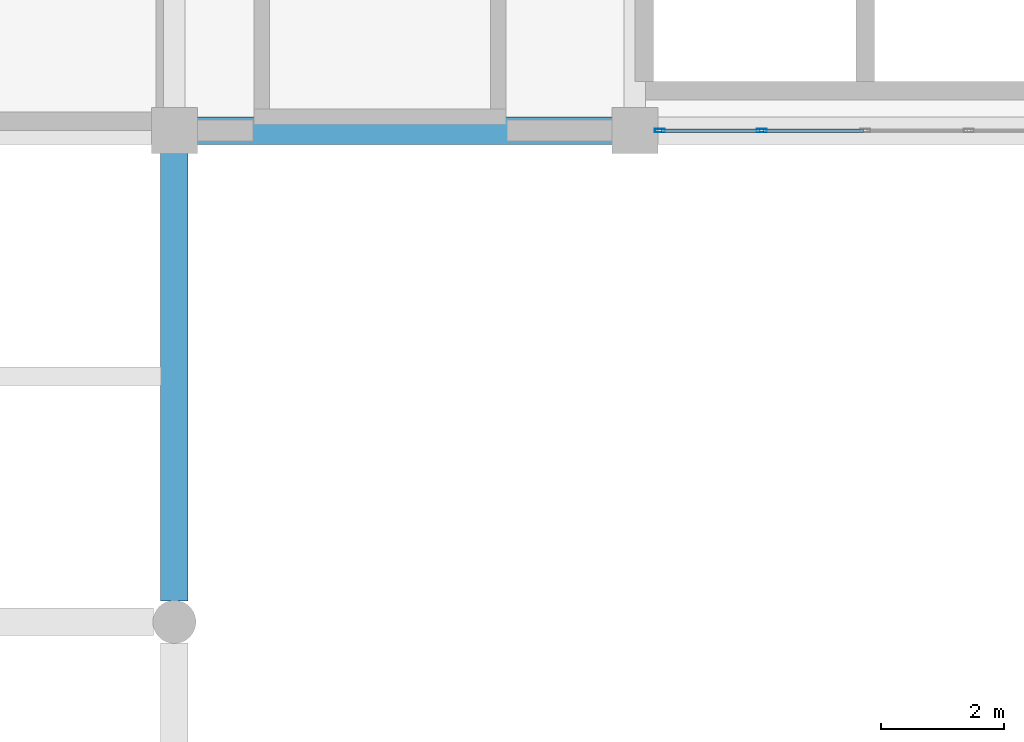
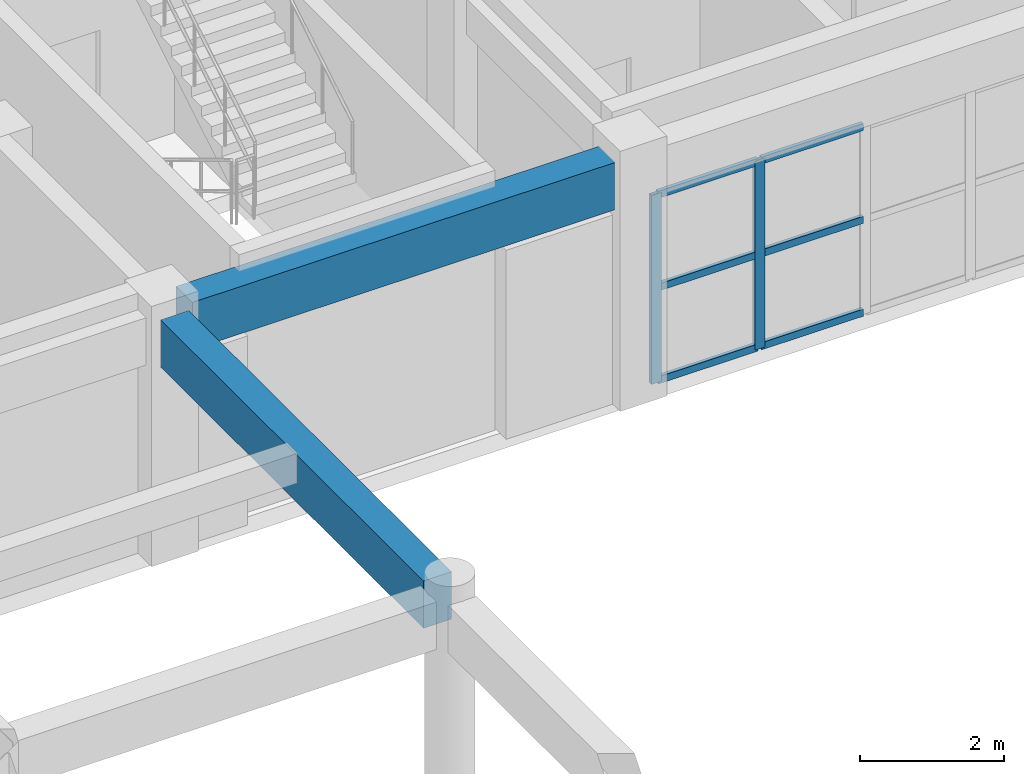
# One storey, part 15 of 116: 8 members, 2 beams, 1 element without a shape of its own.
"""IFC4 building model written with IfcOpenShell, lengths in metres."""

from ifc_helpers import new_model, si_unit, direction, frame, origin, origin_2d, place, context, subcontext, project, spatial, rectangle, hollow_rectangle, extrude, material, layer, layer_set, material_profile, profile_set, type_object, element, aggregate, save


model = new_model("IFC4")

# Units and contexts
model_context = context("Model", 3, precision=1e-05, world=origin(), true_north=direction((0.0, 1.0)))
body_context = subcontext(model_context, "Body", "Model", "MODEL_VIEW")
ifc_project = project(units=[si_unit("LENGTHUNIT", "METRE"), si_unit("AREAUNIT", "SQUARE_METRE"), si_unit("VOLUMEUNIT", "CUBIC_METRE"), si_unit("PLANEANGLEUNIT", "RADIAN"), si_unit("MASSUNIT", "GRAM", prefix="KILO")], contexts=[model_context])

# Site, building, storey
site_placement = place(None, origin())
site = spatial("IfcSite", under=ifc_project, at=site_placement, CompositionType="ELEMENT")
building_placement = place(site_placement, origin())
building = spatial("IfcBuilding", under=site, at=building_placement, Name="Muzn Square Opera House", CompositionType="ELEMENT")
storey_placement = place(building_placement, frame((0.0, 0.0, 5.39990234375)))
storey = spatial("IfcBuildingStorey", under=building, at=storey_placement, Name="L01", CompositionType="ELEMENT", Elevation=5.39990234375)

# Curtain wall, members
ifc_material_1 = material(Name="Low-E laminated acoustic double glazing", Category="glass")
ifc_layer = layer(ifc_material_1, 0.159912109375, Name="Low-E laminated acoustic double glazing", Category="glass")
ifc_layer_set = layer_set([ifc_layer], Name="Low-E laminated acoustic double glazing")
curtain_wall_type = type_object("IfcCurtainWallType", Name="Glazed Curtain Wall Forecourt 6750x3200", PredefinedType="USERDEFINED", material=ifc_layer_set)
curtain_wall_placement = place(storey_placement, origin())
curtain_wall = element("IfcCurtainWall", 1, at=curtain_wall_placement, inside=storey, type_object=curtain_wall_type, Name="Glazed Curtain Wall CW-L01-003", ObjectType="GLAZED CURTAIN WALL", PredefinedType="USERDEFINED")
ifc_material_2 = material(Name="Anodised bronze aluminium 6063-T6", Category="metal")
ifc_material_profile_1 = material_profile(ifc_material_2, hollow_rectangle(XDim=0.06005859375, YDim=0.159912109375, WallThickness=0.00390625, at=origin_2d()), Name="ALU 160x60x4", Category="metal")
ifc_profile_set_1 = profile_set([ifc_material_profile_1], Name="Anodised bronze aluminium 6063-T6")
member_type_1 = type_object("IfcMemberType", Name="Curtain Wall Mullion 160x60", PredefinedType="MULLION", material=ifc_profile_set_1)
member_1_placement = place(storey_placement, frame((58.405029296875, 22.0, 0.0), z_axis=(0.0, 0.0, 1.0), x_axis=(0.0, 1.0, 0.0)))
member_1 = element("IfcMember", 2, at=member_1_placement, type_object=member_type_1, Name="CW-FC-67x32 mullion 1", PredefinedType="MULLION", context=body_context, shape_type="SweptSolid", body=[
    extrude(hollow_rectangle(XDim=0.06005859375, YDim=0.159912109375, WallThickness=0.00390625, at=origin_2d()), origin(), (0.0, 0.0, 1.0), 3.2001953125),
])
member_2_placement = place(storey_placement, frame((60.0625, 22.0, 0.0), z_axis=(0.0, 0.0, 1.0), x_axis=(0.0, 1.0, 0.0)))
member_2 = element("IfcMember", 3, at=member_2_placement, type_object=member_type_1, Name="CW-FC-67x32 mullion 2", PredefinedType="MULLION", context=body_context, shape_type="SweptSolid", body=[
    extrude(hollow_rectangle(XDim=0.06005859375, YDim=0.159912109375, WallThickness=0.00390625, at=origin_2d()), origin(), (0.0, 0.0, 1.0), 3.2001953125),
])
ifc_material_profile_2 = material_profile(ifc_material_2, hollow_rectangle(XDim=0.06005859375, YDim=0.1201171875, WallThickness=0.00390625, at=origin_2d()), Name="ALU 120x60x4", Category="metal")
ifc_profile_set_2 = profile_set([ifc_material_profile_2], Name="Anodised bronze aluminium 6063-T6")
member_type_2 = type_object("IfcMemberType", Name="Curtain Wall Transom 120x60", PredefinedType="USERDEFINED", material=ifc_profile_set_2)
member_3_placement = place(storey_placement, frame((58.43505859375, 22.0, 0.030029296875), z_axis=(1.0, 0.0, 0.0), x_axis=(0.0, 1.0, 0.0)))
member_3 = element("IfcMember", 4, at=member_3_placement, type_object=member_type_2, Name="CW-FC-67x32 transom 1.1", ObjectType="TRANSOM", PredefinedType="USERDEFINED", context=body_context, shape_type="SweptSolid", body=[
    extrude(hollow_rectangle(XDim=0.06005859375, YDim=0.1201171875, WallThickness=0.00390625, at=origin_2d()), origin(), (0.0, 0.0, 1.0), 1.597412109375),
])
member_4_placement = place(storey_placement, frame((58.43505859375, 22.0, 1.60009765625), z_axis=(1.0, 0.0, 0.0), x_axis=(0.0, 1.0, 0.0)))
member_4 = element("IfcMember", 5, at=member_4_placement, type_object=member_type_2, Name="CW-FC-67x32 transom 1.2", ObjectType="TRANSOM", PredefinedType="USERDEFINED", context=body_context, shape_type="SweptSolid", body=[
    extrude(hollow_rectangle(XDim=0.06005859375, YDim=0.1201171875, WallThickness=0.00390625, at=origin_2d()), origin(), (0.0, 0.0, 1.0), 1.597412109375),
])
member_5_placement = place(storey_placement, frame((58.43505859375, 22.0, 3.170166015625), z_axis=(1.0, 0.0, 0.0), x_axis=(0.0, 1.0, 0.0)))
member_5 = element("IfcMember", 6, at=member_5_placement, type_object=member_type_2, Name="CW-FC-67x32 transom 1.3", ObjectType="TRANSOM", PredefinedType="USERDEFINED", context=body_context, shape_type="SweptSolid", body=[
    extrude(hollow_rectangle(XDim=0.06005859375, YDim=0.1201171875, WallThickness=0.00390625, at=origin_2d()), origin(), (0.0, 0.0, 1.0), 1.597412109375),
])
member_6_placement = place(storey_placement, frame((60.092529296875, 22.0, 0.030029296875), z_axis=(1.0, 0.0, 0.0), x_axis=(0.0, 1.0, 0.0)))
member_6 = element("IfcMember", 7, at=member_6_placement, type_object=member_type_2, Name="CW-FC-67x32 transom 2.1", ObjectType="TRANSOM", PredefinedType="USERDEFINED", context=body_context, shape_type="SweptSolid", body=[
    extrude(hollow_rectangle(XDim=0.06005859375, YDim=0.1201171875, WallThickness=0.00390625, at=origin_2d()), origin(), (0.0, 0.0, 1.0), 1.62744140625),
])
member_7_placement = place(storey_placement, frame((60.092529296875, 22.0, 1.60009765625), z_axis=(1.0, 0.0, 0.0), x_axis=(0.0, 1.0, 0.0)))
member_7 = element("IfcMember", 8, at=member_7_placement, type_object=member_type_2, Name="CW-FC-67x32 transom 2.2", ObjectType="TRANSOM", PredefinedType="USERDEFINED", context=body_context, shape_type="SweptSolid", body=[
    extrude(hollow_rectangle(XDim=0.06005859375, YDim=0.1201171875, WallThickness=0.00390625, at=origin_2d()), origin(), (0.0, 0.0, 1.0), 1.62744140625),
])
member_8_placement = place(storey_placement, frame((60.092529296875, 22.0, 3.170166015625), z_axis=(1.0, 0.0, 0.0), x_axis=(0.0, 1.0, 0.0)))
member_8 = element("IfcMember", 9, at=member_8_placement, type_object=member_type_2, Name="CW-FC-67x32 transom 2.3", ObjectType="TRANSOM", PredefinedType="USERDEFINED", context=body_context, shape_type="SweptSolid", body=[
    extrude(hollow_rectangle(XDim=0.06005859375, YDim=0.1201171875, WallThickness=0.00390625, at=origin_2d()), origin(), (0.0, 0.0, 1.0), 1.62744140625),
])
aggregate(curtain_wall, [member_1, member_2, member_3, member_4, member_5, member_6, member_7, member_8])

# Beams
ifc_material_3 = material(Name="Concrete C40/50", Category="concrete")
ifc_material_profile_3 = material_profile(ifc_material_3, rectangle(XDim=0.449951171875, YDim=0.800048828125, at=origin_2d()), Name="RCB 450x800", Category="concrete")
ifc_profile_set_3 = profile_set([ifc_material_profile_3], Name="Concrete C40/50")
beam_type = type_object("IfcBeamType", Name="Primary Girder 450x800", PredefinedType="BEAM", material=ifc_profile_set_3)
beam_1_placement = place(storey_placement, frame((50.866943359375, 22.0, 3.72021484375), z_axis=(1.0, 0.0, 0.0), x_axis=(0.0, 1.0, 0.0)))
element("IfcBeam", 10, at=beam_1_placement, inside=storey, type_object=beam_type, Name="Primary Girder BM-L01-BM-PG800-509_220_576_220-1280", PredefinedType="BEAM", context=body_context, shape_type="SweptSolid", body=[
    extrude(rectangle(XDim=0.449951171875, YDim=0.800048828125, at=origin_2d()), origin(), (0.0, 0.0, 1.0), 6.76611328125),
])
beam_2_placement = place(storey_placement, frame((50.5, 14.342041015625, 3.72021484375), z_axis=(0.0, 1.0, 0.0), x_axis=(-1.0, 0.0, 0.0)))
element("IfcBeam", 11, at=beam_2_placement, inside=storey, type_object=beam_type, Name="Primary Girder BM-L01-BM-PG800-505_143_505_216-1616", PredefinedType="BEAM", context=body_context, shape_type="SweptSolid", body=[
    extrude(rectangle(XDim=0.449951171875, YDim=0.800048828125, at=origin_2d()), origin(), (0.0, 0.0, 1.0), 7.291015625),
])

save(model, "model.ifc")
